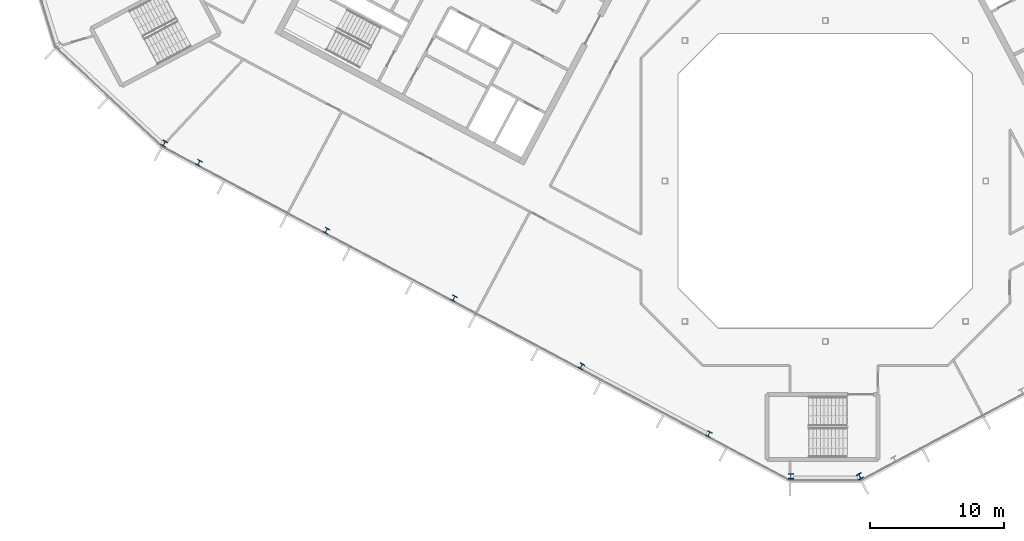
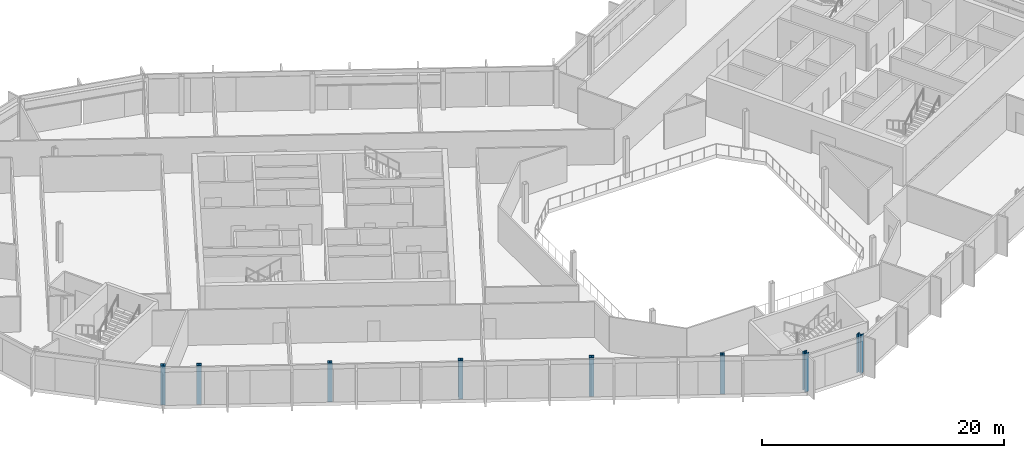
# One storey, part 1 of 26: 8 columns.
"""IFC4 building model written with IfcOpenShell, lengths in metres."""

from ifc_helpers import new_model, si_unit, direction, frame, origin, origin_2d, place, context, subcontext, project, spatial, i_section, extrude, material, material_profile, profile_set, type_object, element, save


model = new_model("IFC4")

# Units and contexts
model_context = context("Model", 3, precision=1e-05, world=origin(), true_north=direction((0.0, 1.0)))
body_context = subcontext(model_context, "Body", "Model", "MODEL_VIEW")
ifc_project = project(units=[si_unit("LENGTHUNIT", "METRE"), si_unit("AREAUNIT", "SQUARE_METRE"), si_unit("VOLUMEUNIT", "CUBIC_METRE"), si_unit("PLANEANGLEUNIT", "RADIAN"), si_unit("MASSUNIT", "GRAM", prefix="KILO")], contexts=[model_context])

# Site, building, storey
site_placement = place(None, origin())
site = spatial("IfcSite", under=ifc_project, at=site_placement, CompositionType="ELEMENT")
building_placement = place(site_placement, origin())
building = spatial("IfcBuilding", under=site, at=building_placement, Name="Cormorant Relay Tower", CompositionType="ELEMENT")
storey_placement = place(building_placement, frame((0.0, 0.0, 304.800048828125)))
storey = spatial("IfcBuildingStorey", under=building, at=storey_placement, Name="L69", CompositionType="ELEMENT", Elevation=304.800048828125)

# Columns
ifc_material_1 = material(Name="Steel ASTM A992 (Fy 345 MPa)", Category="steel")
ifc_material_profile_1 = material_profile(ifc_material_1, i_section(OverallWidth=0.398681640625, OverallDepth=0.385986328125, WebThickness=0.02099609375, FlangeThickness=0.033203125, FilletRadius=0.01513671875, at=origin_2d()), Name="W360x262")
ifc_profile_set_1 = profile_set([ifc_material_profile_1], Name="Steel ASTM A992 (Fy 345 MPa)")
column_type_1 = type_object("IfcColumnType", Name="Column W360x262", PredefinedType="COLUMN", material=ifc_profile_set_1)
for number, where, z_axis, x_axis, name in (
    (1, (-8.705078125, -18.928955078125, 0.0), (0.0, 0.0, 1.0), (0.882947592859, -0.469471562786, 0.0), "Column L69-004"),
    (2, (-18.240966796875, -13.85791015625, 0.0), (0.0, 0.0, 1.0), (0.882947592859, -0.469471562786, 0.0), "Column L69-006"),
    (3, (-27.777099609375, -8.7880859375, 0.0), (0.0, 0.0, 1.0), (0.882947592859, -0.469471562786, 0.0), "Column L69-011"),
    (4, (-37.31298828125, -3.718017578125, 0.0), (0.0, 0.0, 1.0), (0.882947592859, -0.469471562786, 0.0), "Column L69-013"),
    (5, (-46.84912109375, 1.35205078125, 0.0), (0.0, 0.0, 1.0), (0.882947592859, -0.469471562786, 0.0), "Column L69-017"),
):
    element("IfcColumn", number, at=place(storey_placement, frame(where, z_axis=z_axis, x_axis=x_axis)), inside=storey, type_object=column_type_1, Name=name, PredefinedType="COLUMN", context=body_context, shape_type="SweptSolid", body=[
        extrude(i_section(OverallWidth=0.398681640625, OverallDepth=0.385986328125, WebThickness=0.02099609375, FlangeThickness=0.033203125, FilletRadius=0.01513671875, at=origin_2d()), origin(), (0.0, 0.0, 1.0), 3.89990234375),
    ])
ifc_material_2 = material(Name="Steel ASTM A992 (Fy 345 MPa)", Category="steel")
ifc_material_profile_2 = material_profile(ifc_material_2, i_section(OverallWidth=0.40380859375, OverallDepth=0.406494140625, WebThickness=0.027099609375, FlangeThickness=0.043701171875, FilletRadius=0.01513671875, at=origin_2d()), Name="W360x347")
ifc_profile_set_2 = profile_set([ifc_material_profile_2], Name="Steel ASTM A992 (Fy 345 MPa)")
column_type_2 = type_object("IfcColumnType", Name="Column W360x347", PredefinedType="COLUMN", material=ifc_profile_set_2)
for number, where, z_axis, x_axis, name in (
    (6, (-2.5791015625, -22.093994140625, 0.0), (0.0, 0.0, 1.0), (1.0, 0.0, 0.0), "Column L69-001"),
    (7, (2.5791015625, -22.093994140625, 0.0), (0.0, 0.0, 1.0), (0.882947592859, 0.469471562786, 0.0), "Column L69-002"),
    (8, (-49.44091796875, 2.7958984375, 0.0), (0.0, 0.0, 1.0), (0.882947592859, -0.469471562786, 0.0), "Column L69-018"),
):
    element("IfcColumn", number, at=place(storey_placement, frame(where, z_axis=z_axis, x_axis=x_axis)), inside=storey, type_object=column_type_2, Name=name, PredefinedType="COLUMN", context=body_context, shape_type="SweptSolid", body=[
        extrude(i_section(OverallWidth=0.40380859375, OverallDepth=0.406494140625, WebThickness=0.027099609375, FlangeThickness=0.043701171875, FilletRadius=0.01513671875, at=origin_2d()), origin(), (0.0, 0.0, 1.0), 3.89990234375),
    ])

save(model, "model.ifc")
